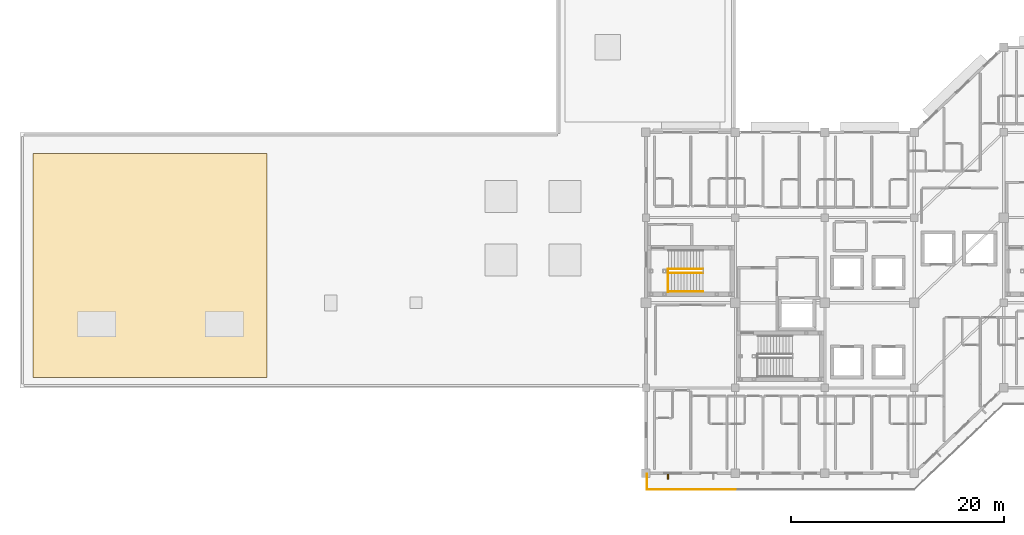
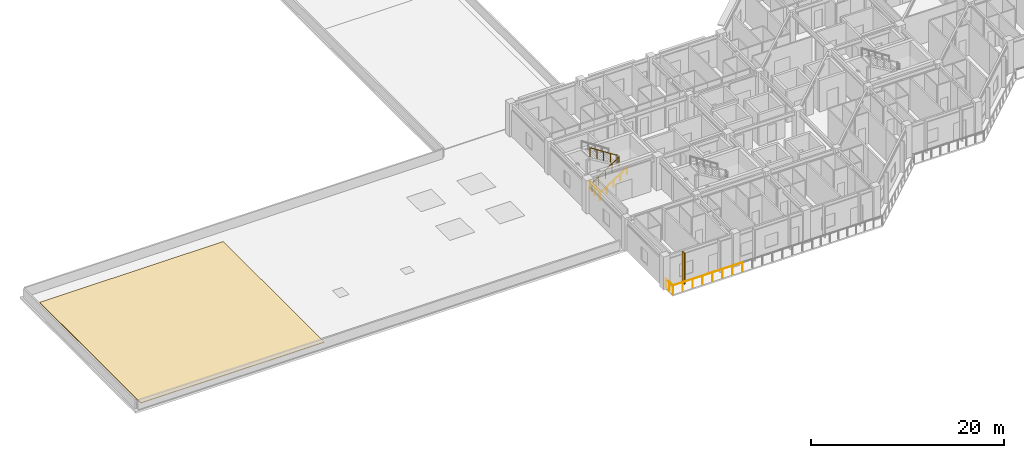
# One storey, part 18 of 22: 6 railings, 1 covering, 1 shading device.
"""IFC4 building model written with IfcOpenShell, lengths in metres."""

from ifc_helpers import new_model, si_unit, direction, frame, origin, origin_2d, place, context, subcontext, project, spatial, polyline, rectangle, circle, outline, extrude, material, layer, layer_set, type_object, element, save


model = new_model("IFC4")

# Units and contexts
model_context = context("Model", 3, precision=1e-05, world=origin(), true_north=direction((0.0, 1.0)))
body_context = subcontext(model_context, "Body", "Model", "MODEL_VIEW")
ifc_project = project(units=[si_unit("LENGTHUNIT", "METRE"), si_unit("AREAUNIT", "SQUARE_METRE"), si_unit("VOLUMEUNIT", "CUBIC_METRE"), si_unit("PLANEANGLEUNIT", "RADIAN"), si_unit("MASSUNIT", "GRAM", prefix="KILO")], contexts=[model_context])

# Site, building, storey
site_placement = place(None, origin())
site = spatial("IfcSite", under=ifc_project, at=site_placement, CompositionType="ELEMENT")
building_placement = place(site_placement, origin())
building = spatial("IfcBuilding", under=site, at=building_placement, Name="Naruveol Harbour Congress Hotel", CompositionType="ELEMENT")
storey_placement = place(building_placement, frame((0.0, 0.0, 21.0)))
storey = spatial("IfcBuildingStorey", under=building, at=storey_placement, Name="L04", CompositionType="ELEMENT", Elevation=21.0)

# Covering
ifc_material_1 = material(Name="TPO Waterproofing & Mineral Insulation", Category="insulation")
ifc_layer_1 = layer(ifc_material_1, 0.080078125)
ifc_layer_set_1 = layer_set([ifc_layer_1], Name="TPO Waterproofing & Mineral Insulation")
covering_type = type_object("IfcCoveringType", Name="INSULATED MEMBRANE ROOFING SYSTEM 80", PredefinedType="ROOFING", material=ifc_layer_set_1)
covering_placement = place(storey_placement, origin())
element("IfcCovering", 1, at=covering_placement, inside=storey, type_object=covering_type, Name="Insulated roof membrane covering #4", PredefinedType="ROOFING", context=body_context, shape_type="SweptSolid", body=[
    extrude(outline(polyline([(60.0, 9.0), (82.0, 9.0), (82.0, 30.0), (60.0, 30.0), (60.0, 9.0)])), origin(), (0.0, 0.0, 1.0), 0.080078125),
])

# Railings
ifc_material_2 = material(Name="Tempered Laminated Safety Glass & Stainless Steel", Category="steel")
ifc_layer_2 = layer(ifc_material_2, 0.06005859375)
ifc_layer_set_2 = layer_set([ifc_layer_2], Name="Tempered Laminated Safety Glass & Stainless Steel")
railing_type_1 = type_object("IfcRailingType", Name="LAMINATED GLASS TERRACE BALUSTRADE 1150", PredefinedType="BALUSTRADE", material=ifc_layer_set_2)
railing_1_placement = place(storey_placement, frame((117.679931640625, -0.06005859375, 0.0)))
element("IfcRailing", 2, at=railing_1_placement, inside=storey, type_object=railing_type_1, Name="L04 Harbour balcony balustrade #68", PredefinedType="BALUSTRADE", context=body_context, shape_type="SweptSolid", body=[
    extrude(circle(Radius=0.02392578125, at=origin_2d()), frame((0.0, 0.0, 1.1259765625), z_axis=(0.0, -1.0, 0.0), x_axis=(1.0, 0.0, 0.0)), (0.0, 0.0, 1.0), 1.4599609375),
    extrude(circle(Radius=0.02099609375, at=origin_2d()), origin(), (0.0, 0.0, 1.0), 1.101806640625),
    extrude(circle(Radius=0.02099609375, at=origin_2d()), frame((0.0, -0.72998046875, 0.0)), (0.0, 0.0, 1.0), 1.101806640625),
    extrude(circle(Radius=0.02099609375, at=origin_2d()), frame((0.0, -1.4599609375, 0.0)), (0.0, 0.0, 1.0), 1.101806640625),
])
railing_2_placement = place(storey_placement, frame((117.679931640625, -1.52001953125, 0.0)))
element("IfcRailing", 3, at=railing_2_placement, inside=storey, type_object=railing_type_1, Name="L04 Harbour balcony balustrade #69", PredefinedType="BALUSTRADE", context=body_context, shape_type="SweptSolid", body=[
    extrude(circle(Radius=0.02392578125, at=origin_2d()), frame((0.0, 0.0, 1.1259765625), z_axis=(1.0, 0.0, 0.0), x_axis=(0.0, 1.0, 0.0)), (0.0, 0.0, 1.0), 8.320068359375),
    extrude(circle(Radius=0.02099609375, at=origin_2d()), origin(), (0.0, 0.0, 1.0), 1.101806640625),
    extrude(circle(Radius=0.02099609375, at=origin_2d()), frame((1.1884765625, 0.0, 0.0)), (0.0, 0.0, 1.0), 1.101806640625),
    extrude(circle(Radius=0.02099609375, at=origin_2d()), frame((2.377197265625, 0.0, 0.0)), (0.0, 0.0, 1.0), 1.101806640625),
    extrude(circle(Radius=0.02099609375, at=origin_2d()), frame((3.565673828125, 0.0, 0.0)), (0.0, 0.0, 1.0), 1.101806640625),
    extrude(circle(Radius=0.02099609375, at=origin_2d()), frame((4.75439453125, 0.0, 0.0)), (0.0, 0.0, 1.0), 1.101806640625),
    extrude(circle(Radius=0.02099609375, at=origin_2d()), frame((5.94287109375, 0.0, 0.0)), (0.0, 0.0, 1.0), 1.101806640625),
    extrude(circle(Radius=0.02099609375, at=origin_2d()), frame((7.131591796875, 0.0, 0.0)), (0.0, 0.0, 1.0), 1.101806640625),
    extrude(circle(Radius=0.02099609375, at=origin_2d()), frame((8.320068359375, 0.0, 0.0)), (0.0, 0.0, 1.0), 1.101806640625),
])

# Shading device
ifc_material_3 = material(Name="Precast concrete C40/50", Category="concrete")
shading_device_type = type_object("IfcShadingDeviceType", Name="PRECAST VERTICAL BRISE SOLEIL FIN 120X450", PredefinedType="JALOUSIE", material=ifc_material_3)
shading_device_placement = place(storey_placement, frame((119.672119140625, -0.340087890625, 0.0), z_axis=(0.0, 0.0, 1.0), x_axis=(-1.0, 0.0, 0.0)))
element("IfcShadingDevice", 4, at=shading_device_placement, inside=storey, type_object=shading_device_type, Name="Precast brise-soleil fin BS-V450 #2", PredefinedType="JALOUSIE", context=body_context, shape_type="SweptSolid", body=[
    extrude(rectangle(XDim=0.1201171875, YDim=0.449951171875, at=origin_2d()), origin(), (0.0, 0.0, 1.0), 3.919921875),
])

# Railings
ifc_material_4 = material(Name="Stainless Steel 304", Category="steel")
ifc_layer_3 = layer(ifc_material_4, 0.0419921875)
ifc_layer_set_3 = layer_set([ifc_layer_3], Name="Stainless Steel 304")
railing_type_2 = type_object("IfcRailingType", Name="STAIR WALL MOUNTED HANDRAIL 900", PredefinedType="HANDRAIL", material=ifc_layer_set_3)
railing_3_placement = place(storey_placement, frame((119.699951171875, 17.06005859375, 0.0)))
element("IfcRailing", 5, at=railing_3_placement, inside=storey, type_object=railing_type_2, Name="Stair ST3 L04 lower wall handrail", PredefinedType="HANDRAIL", context=body_context, shape_type="SweptSolid", body=[
    extrude(circle(Radius=0.02392578125, at=origin_2d()), frame((0.0, 0.0, 0.8759765625), z_axis=(0.839532874919, 0.0, 0.543308891819), x_axis=(0.0, 1.0, 0.0)), (0.0, 0.0, 1.0), 3.865478515625),
    extrude(circle(Radius=0.02099609375, at=origin_2d()), origin(), (0.0, 0.0, 1.0), 0.851806640625),
    extrude(circle(Radius=0.02099609375, at=origin_2d()), frame((0.811279296875, 0.0, 0.52490234375)), (0.0, 0.0, 1.0), 0.851806640625),
    extrude(circle(Radius=0.02099609375, at=origin_2d()), frame((1.62255859375, 0.0, 1.050048828125)), (0.0, 0.0, 1.0), 0.851806640625),
    extrude(circle(Radius=0.02099609375, at=origin_2d()), frame((2.433837890625, 0.0, 1.5751953125)), (0.0, 0.0, 1.0), 0.851806640625),
    extrude(circle(Radius=0.02099609375, at=origin_2d()), frame((3.2451171875, 0.0, 2.10009765625)), (0.0, 0.0, 1.0), 0.851806640625),
])
ifc_material_5 = material(Name="Steel SN490", Category="steel")
ifc_layer_4 = layer(ifc_material_5, 0.044921875)
ifc_layer_set_4 = layer_set([ifc_layer_4], Name="Steel SN490")
railing_type_3 = type_object("IfcRailingType", Name="STAIRWELL STEEL GUARDRAIL 1150", PredefinedType="GUARDRAIL", material=ifc_layer_set_4)
railing_4_placement = place(storey_placement, frame((119.699951171875, 18.7900390625, 0.0)))
element("IfcRailing", 6, at=railing_4_placement, inside=storey, type_object=railing_type_3, Name="Stair ST3 L04 lower well guard", PredefinedType="GUARDRAIL", context=body_context, shape_type="SweptSolid", body=[
    extrude(circle(Radius=0.02392578125, at=origin_2d()), frame((0.0, 0.0, 1.1259765625), z_axis=(0.839532874919, 0.0, 0.543308891819), x_axis=(0.0, 1.0, 0.0)), (0.0, 0.0, 1.0), 3.865478515625),
    extrude(circle(Radius=0.02099609375, at=origin_2d()), origin(), (0.0, 0.0, 1.0), 1.101806640625),
    extrude(circle(Radius=0.02099609375, at=origin_2d()), frame((0.811279296875, 0.0, 0.52490234375)), (0.0, 0.0, 1.0), 1.101806640625),
    extrude(circle(Radius=0.02099609375, at=origin_2d()), frame((1.62255859375, 0.0, 1.050048828125)), (0.0, 0.0, 1.0), 1.101806640625),
    extrude(circle(Radius=0.02099609375, at=origin_2d()), frame((2.433837890625, 0.0, 1.5751953125)), (0.0, 0.0, 1.0), 1.101806640625),
    extrude(circle(Radius=0.02099609375, at=origin_2d()), frame((3.2451171875, 0.0, 2.10009765625)), (0.0, 0.0, 1.0), 1.101806640625),
])
railing_5_placement = place(storey_placement, frame((122.945068359375, 19.169921875, 2.10009765625)))
element("IfcRailing", 7, at=railing_5_placement, inside=storey, type_object=railing_type_3, Name="Stair ST3 L04 upper well guard", PredefinedType="GUARDRAIL", context=body_context, shape_type="SweptSolid", body=[
    extrude(circle(Radius=0.02392578125, at=origin_2d()), frame((0.0, 0.0, 1.1259765625), z_axis=(-0.839561683974, 0.0, 0.543264372845), x_axis=(0.0, -1.0, 0.0)), (0.0, 0.0, 1.0), 3.865234375),
    extrude(circle(Radius=0.02099609375, at=origin_2d()), origin(), (0.0, 0.0, 1.0), 1.101806640625),
    extrude(circle(Radius=0.02099609375, at=origin_2d()), frame((-0.811279296875, 0.0, 0.52490234375)), (0.0, 0.0, 1.0), 1.101806640625),
    extrude(circle(Radius=0.02099609375, at=origin_2d()), frame((-1.62255859375, 0.0, 1.0498046875)), (0.0, 0.0, 1.0), 1.101806640625),
    extrude(circle(Radius=0.02099609375, at=origin_2d()), frame((-2.433837890625, 0.0, 1.574951171875)), (0.0, 0.0, 1.0), 1.101806640625),
    extrude(circle(Radius=0.02099609375, at=origin_2d()), frame((-3.2451171875, 0.0, 2.099853515625)), (0.0, 0.0, 1.0), 1.101806640625),
])
railing_6_placement = place(storey_placement, frame((119.659912109375, 17.02001953125, 0.0)))
element("IfcRailing", 8, at=railing_6_placement, inside=storey, type_object=railing_type_3, Name="Stair ST3 L04 landing well guard", PredefinedType="GUARDRAIL", context=body_context, shape_type="SweptSolid", body=[
    extrude(circle(Radius=0.02392578125, at=origin_2d()), frame((0.0, 0.0, 1.1259765625), z_axis=(0.0, 1.0, 0.0), x_axis=(-1.0, 0.0, 0.0)), (0.0, 0.0, 1.0), 2.14990234375),
    extrude(circle(Radius=0.02099609375, at=origin_2d()), origin(), (0.0, 0.0, 1.0), 1.101806640625),
    extrude(circle(Radius=0.02099609375, at=origin_2d()), frame((0.0, 1.074951171875, 0.0)), (0.0, 0.0, 1.0), 1.101806640625),
    extrude(circle(Radius=0.02099609375, at=origin_2d()), frame((0.0, 2.14990234375, 0.0)), (0.0, 0.0, 1.0), 1.101806640625),
])

save(model, "model.ifc")
